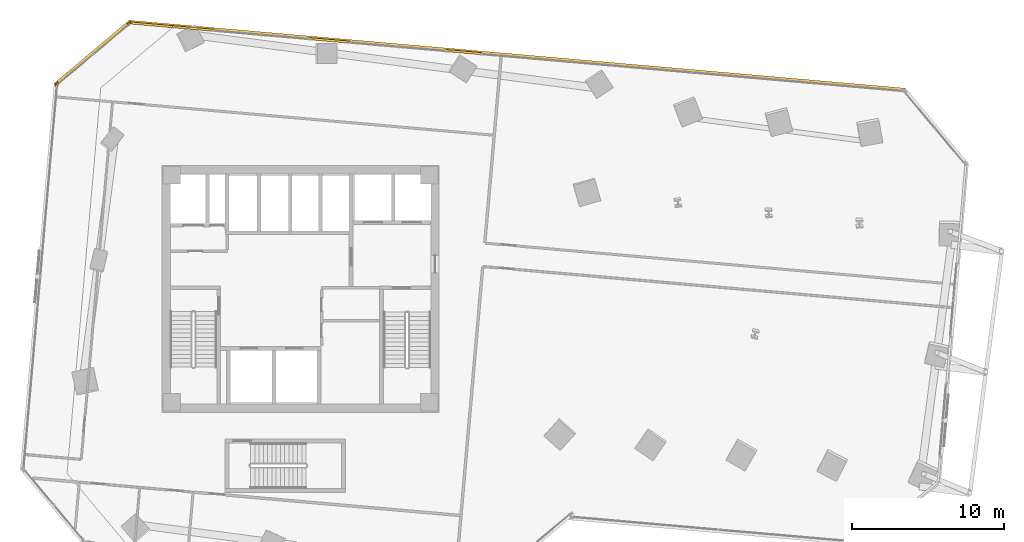
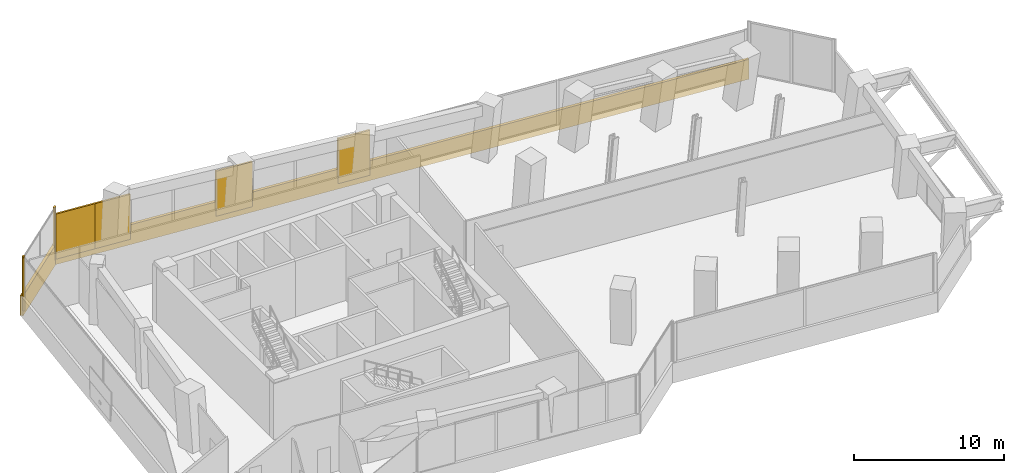
# One storey, part 23 of 23: 9 coverings.
"""IFC4 building model written with IfcOpenShell, lengths in metres."""

from ifc_helpers import new_model, si_unit, direction, frame, origin, origin_2d, place, context, subcontext, project, spatial, rectangle, extrude, source, transform, mapped, material, layer, layer_set, type_object, element, save


model = new_model("IFC4")

# Units and contexts
model_context = context("Model", 3, precision=1e-05, world=origin(), true_north=direction((0.0, 1.0)))
body_context = subcontext(model_context, "Body", "Model", "MODEL_VIEW")
ifc_project = project(units=[si_unit("LENGTHUNIT", "METRE"), si_unit("AREAUNIT", "SQUARE_METRE"), si_unit("VOLUMEUNIT", "CUBIC_METRE"), si_unit("PLANEANGLEUNIT", "RADIAN"), si_unit("MASSUNIT", "GRAM", prefix="KILO")], contexts=[model_context])

# Site, building, storey
site_placement = place(None, origin())
site = spatial("IfcSite", under=ifc_project, at=site_placement, CompositionType="ELEMENT")
building_placement = place(site_placement, origin())
building = spatial("IfcBuilding", under=site, at=building_placement, Name="Torre Montelarca", CompositionType="ELEMENT")
storey_placement = place(building_placement, frame((0.0, 0.0, 56.800048828125)))
storey = spatial("IfcBuildingStorey", under=building, at=storey_placement, Name="L12", CompositionType="ELEMENT", Elevation=56.800048828125)

# Coverings
ifc_material = material(Name="Bush-hammered warm white precast concrete C45/55", Category="concrete")
ifc_layer = layer(ifc_material, 0.139892578125, Name="Bush-hammered warm white precast concrete C45/55", Category="concrete")
ifc_layer_set = layer_set([ifc_layer], Name="Bush-hammered warm white precast concrete C45/55")
covering_type = type_object("IfcCoveringType", Name="COV-TRAY-CLAD", PredefinedType="CLADDING", material=ifc_layer_set)
shared_shape_1 = source(origin(), body_context, "Body", "SweptSolid", [
    extrude(rectangle(XDim=0.199951171875, YDim=0.139892578125, at=origin_2d()), origin(), (0.0, 0.0, 1.0), 4.320068359375),
])
for number, where, z_axis, x_axis, name in (
    (1, (6.74267578125, 49.406982421875, 0.0), (0.0, 0.0, 1.0), (-0.76603883371, -0.642794294661, 0.0), "L12 Architectural Column Pier Cladding E09-1"),
    (2, (2.045166015625, 45.465087890625, 0.0), (0.0, 0.0, 1.0), (-0.76603883371, -0.642794294661, 0.0), "L12 Architectural Column Pier Cladding E09-2"),
    (3, (1.97802734375, 45.336181640625, 0.0), (0.0, 0.0, 1.0), (-0.08716095881, -0.996194241732, 0.0), "L12 Architectural Column Pier Cladding E10-1"),
):
    element("IfcCovering", number, at=place(storey_placement, frame(where, z_axis=z_axis, x_axis=x_axis)), inside=storey, type_object=covering_type, Name=name, PredefinedType="CLADDING", context=body_context, shape_type="MappedRepresentation", body=[
        mapped(shared_shape_1, transform((0.0, 0.0, 0.0), scale=1.0)),
    ])
shared_shape_2 = source(origin(), body_context, "Body", "SweptSolid", [
    extrude(rectangle(XDim=6.48388671875, YDim=0.219970703125, at=origin_2d()), origin(), (0.0, 0.0, 1.0), 1.6201171875),
])
covering_1_placement = place(storey_placement, frame((4.355224609375, 47.48193359375, -0.4501953125), z_axis=(0.0, 0.0, 1.0), x_axis=(-0.766044443119, -0.642787609687, 0.0)))
element("IfcCovering", 4, at=covering_1_placement, inside=storey, type_object=covering_type, Name="L12 Architectural White Spandrel Tray Band TRYBOT-09", PredefinedType="CLADDING", context=body_context, shape_type="MappedRepresentation", body=[
    mapped(shared_shape_2, transform((0.0, 0.0, 0.0), scale=1.0)),
])
shared_shape_3 = source(origin(), body_context, "Body", "SweptSolid", [
    extrude(rectangle(XDim=51.219970703125, YDim=0.219970703125, at=origin_2d()), origin(), (0.0, 0.0, 1.0), 1.6201171875),
])
covering_2_placement = place(storey_placement, frame((32.2236328125, 47.293701171875, -0.4501953125), z_axis=(0.0, 0.0, 1.0), x_axis=(-0.996194545975, 0.087157481435, 0.0)))
element("IfcCovering", 5, at=covering_2_placement, inside=storey, type_object=covering_type, Name="L12 Architectural White Spandrel Tray Band TRYBOT-08", PredefinedType="CLADDING", context=body_context, shape_type="MappedRepresentation", body=[
    mapped(shared_shape_3, transform((0.0, 0.0, 0.0), scale=1.0)),
])
shared_shape_4 = source(origin(), body_context, "Body", "SweptSolid", [
    extrude(rectangle(XDim=2.360107421875, YDim=0.139892578125, at=origin_2d()), origin(), (0.0, 0.0, 1.0), 3.675048828125),
])
covering_3_placement = place(storey_placement, frame((28.7109375, 47.540771484375, 0.0), z_axis=(0.0, 0.0, 1.0), x_axis=(-0.996194545975, 0.087157481435, 0.0)))
element("IfcCovering", 6, at=covering_3_placement, inside=storey, type_object=covering_type, Name="L12 Architectural Column Pier Cladding E08-2", PredefinedType="CLADDING", context=body_context, shape_type="MappedRepresentation", body=[
    mapped(shared_shape_4, transform((0.0, 0.0, 0.0), scale=1.0)),
])
shared_shape_5 = source(origin(), body_context, "Body", "SweptSolid", [
    extrude(rectangle(XDim=2.69287109375, YDim=0.139892578125, at=origin_2d()), origin(), (0.0, 0.0, 1.0), 3.675048828125),
])
covering_4_placement = place(storey_placement, frame((19.9130859375, 48.310302734375, 0.0), z_axis=(0.0, 0.0, 1.0), x_axis=(-0.996194545975, 0.087157481435, 0.0)))
element("IfcCovering", 7, at=covering_4_placement, inside=storey, type_object=covering_type, Name="L12 Architectural Column Pier Cladding E08-3", PredefinedType="CLADDING", context=body_context, shape_type="MappedRepresentation", body=[
    mapped(shared_shape_5, transform((0.0, 0.0, 0.0), scale=1.0)),
])
shared_shape_6 = source(origin(), body_context, "Body", "SweptSolid", [
    extrude(rectangle(XDim=2.69921875, YDim=0.139892578125, at=origin_2d()), origin(), (0.0, 0.0, 1.0), 3.675048828125),
])
covering_5_placement = place(storey_placement, frame((10.952880859375, 49.094482421875, 0.0), z_axis=(0.0, 0.0, 1.0), x_axis=(-0.996194545975, 0.087157481435, 0.0)))
element("IfcCovering", 8, at=covering_5_placement, inside=storey, type_object=covering_type, Name="L12 Architectural Column Pier Cladding E08-4", PredefinedType="CLADDING", context=body_context, shape_type="MappedRepresentation", body=[
    mapped(shared_shape_6, transform((0.0, 0.0, 0.0), scale=1.0)),
])
shared_shape_7 = source(origin(), body_context, "Body", "SweptSolid", [
    extrude(rectangle(XDim=2.9375, YDim=0.139892578125, at=origin_2d()), origin(), (0.0, 0.0, 1.0), 3.675048828125),
])
covering_6_placement = place(storey_placement, frame((8.244873046875, 49.331298828125, 0.0), z_axis=(0.0, 0.0, 1.0), x_axis=(-0.996194545975, 0.087157481435, 0.0)))
element("IfcCovering", 9, at=covering_6_placement, inside=storey, type_object=covering_type, Name="L12 Architectural Column Pier Cladding E08-5", PredefinedType="CLADDING", context=body_context, shape_type="MappedRepresentation", body=[
    mapped(shared_shape_7, transform((0.0, 0.0, 0.0), scale=1.0)),
])

save(model, "model.ifc")
